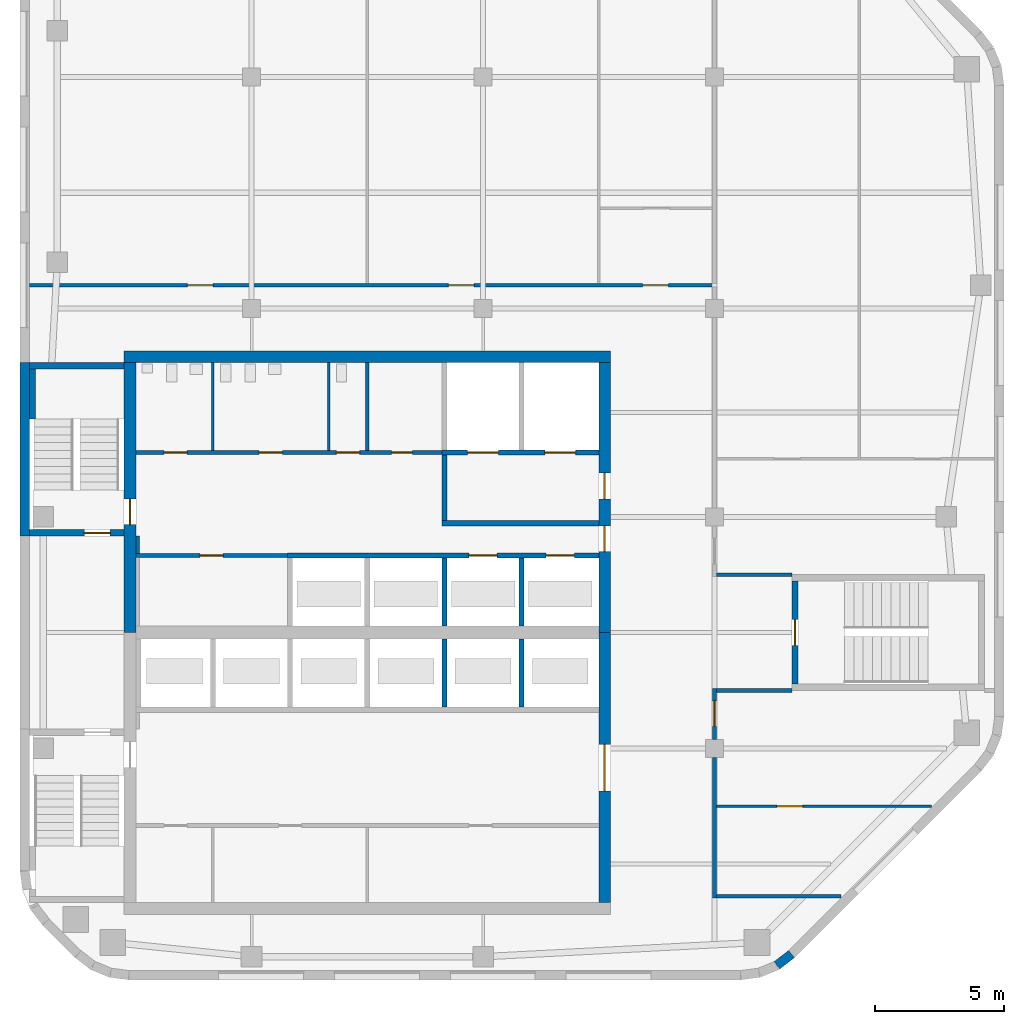
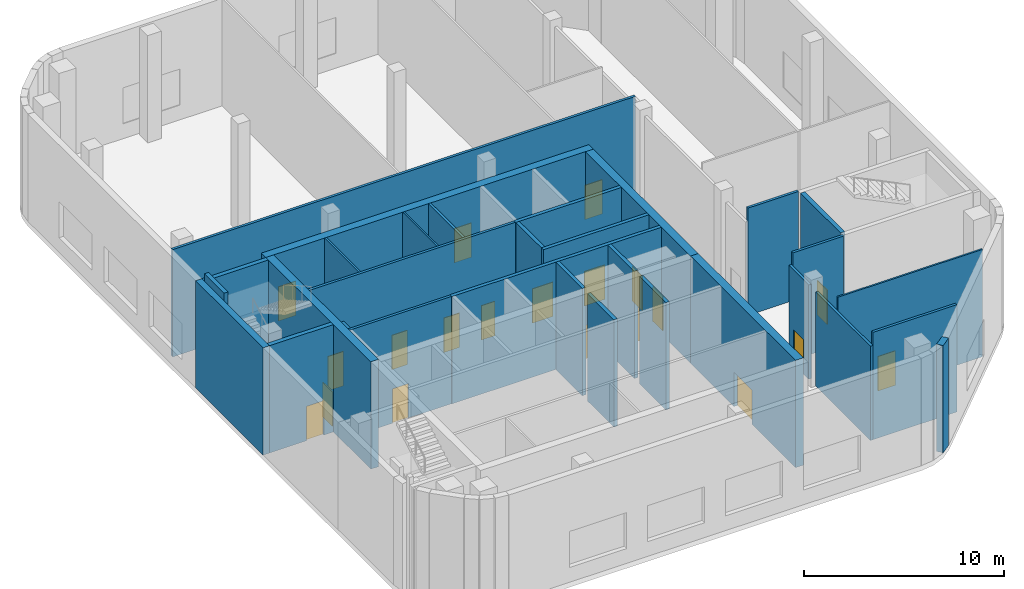
# One storey, part 3 of 8: 31 walls, 20 doors, 20 openings.
"""IFC4 building model written with IfcOpenShell, lengths in metres."""

from ifc_helpers import new_model, si_unit, direction, frame, frame_2d, origin, place, context, subcontext, project, spatial, rectangle, extrude, material, layer, layer_set, type_object, element, fill, save


model = new_model("IFC4")

# Units and contexts
model_context = context("Model", 3, precision=1e-05, world=origin(), true_north=direction((0.0, 1.0)))
body_context = subcontext(model_context, "Body", "Model", "MODEL_VIEW")
ifc_project = project(units=[si_unit("LENGTHUNIT", "METRE"), si_unit("AREAUNIT", "SQUARE_METRE"), si_unit("VOLUMEUNIT", "CUBIC_METRE"), si_unit("PLANEANGLEUNIT", "RADIAN"), si_unit("MASSUNIT", "GRAM", prefix="KILO")], contexts=[model_context])

# Site, building, storey
site_placement = place(None, origin())
site = spatial("IfcSite", under=ifc_project, at=site_placement, CompositionType="ELEMENT")
building_placement = place(site_placement, origin())
building = spatial("IfcBuilding", under=site, at=building_placement, Name="Cinnabar Reach Civic Tower", CompositionType="ELEMENT")
storey_placement = place(building_placement, frame((0.0, 0.0, 291.0)))
storey = spatial("IfcBuildingStorey", under=building, at=storey_placement, Name="L69", CompositionType="ELEMENT", Elevation=291.0)

# Walls
ifc_material_1 = material(Name="Facing brick with insulated backing", Category="masonry")
ifc_layer_1 = layer(ifc_material_1, 0.36)
ifc_layer_set_1 = layer_set([ifc_layer_1], Name="Brick corner wall")
wall_type_1 = type_object("IfcWallType", Name="Brick corner wall", PredefinedType="STANDARD", material=ifc_layer_set_1)
wall_1_placement = place(storey_placement, frame((29.4255, 18.566, 0.0), z_axis=(0.0, 0.0, 1.0), x_axis=(0.793321924995, 0.608802368033, 0.0)))
element("IfcWall", 1, at=wall_1_placement, inside=storey, type_object=wall_type_1, Name="Brick corner wall", PredefinedType="STANDARD", context=body_context, shape_type="SweptSolid", body=[
    extrude(rectangle(XDim=0.7132, YDim=0.36, at=frame_2d((0.3566, 0.0))), origin(), (0.0, 0.0, 1.0), 6.55),
])
ifc_layer_2 = layer(ifc_material_1, 0.36)
ifc_layer_set_2 = layer_set([ifc_layer_2], Name="Brick pier and spandrel wall")
wall_type_2 = type_object("IfcWallType", Name="Brick pier and spandrel wall", PredefinedType="STANDARD", material=ifc_layer_set_2)
wall_2_placement = place(storey_placement, frame((0.18, 42.0, 0.0), z_axis=(0.0, 0.0, 1.0), x_axis=(0.0, -1.0, 0.0)))
element("IfcWall", 2, at=wall_2_placement, inside=storey, type_object=wall_type_2, Name="Brick facade wall", PredefinedType="STANDARD", context=body_context, shape_type="SweptSolid", body=[
    extrude(rectangle(XDim=6.75, YDim=0.36, at=frame_2d((3.375, 0.0))), origin(), (0.0, 0.0, 1.0), 6.55),
])
ifc_material_2 = material(Name="Concrete C60", Category="concrete")
ifc_layer_3 = layer(ifc_material_2, 0.45)
ifc_layer_set_3 = layer_set([ifc_layer_3], Name="Core wall 450 EI 180")
wall_type_3 = type_object("IfcWallType", Name="Core wall 450 EI 180", PredefinedType="SOLIDWALL", material=ifc_layer_set_3)
wall_3_placement = place(storey_placement, frame((22.95, 42.225, 0.0), z_axis=(0.0, 0.0, 1.0), x_axis=(-1.0, 0.0, 0.0)))
element("IfcWall", 3, at=wall_3_placement, inside=storey, type_object=wall_type_3, Name="Core wall T1 L69 N", PredefinedType="SOLIDWALL", context=body_context, shape_type="SweptSolid", body=[
    extrude(rectangle(XDim=18.9, YDim=0.45, at=frame_2d((9.45, 0.0))), origin(), (0.0, 0.0, 1.0), 6.55),
])

# Wall, opening, door
wall_4_placement = place(storey_placement, frame((22.725, 21.0, 0.0), z_axis=(0.0, 0.0, 1.0), x_axis=(0.0, 1.0, 0.0)))
wall_4 = element("IfcWall", 4, at=wall_4_placement, inside=storey, type_object=wall_type_3, Name="Core wall T1 L69 E", PredefinedType="SOLIDWALL", context=body_context, shape_type="SweptSolid", body=[
    extrude(rectangle(XDim=10.5, YDim=0.45, at=frame_2d((5.25, 0.0))), origin(), (0.0, 0.0, 1.0), 6.55),
])
opening_1_placement = place(wall_4_placement, frame((4.35, 0.0, 0.0)))
opening_1 = element("IfcOpeningElement", 5, at=opening_1_placement, cuts=wall_4, Name="Opening D5739", PredefinedType="OPENING", context=body_context, shape_type="SweptSolid", body=[
    extrude(rectangle(XDim=1.8, YDim=2.1, at=frame_2d((0.9, 1.05))), frame((0.0, 0.235, 0.0), z_axis=(0.0, -1.0, 0.0), x_axis=(1.0, 0.0, 0.0)), (0.0, 0.0, 1.0), 0.47),
])
ifc_material_3 = material(Name="Timber door leaf in steel frame", Category="steel")
door_type_1 = type_object("IfcDoorType", Name="Double swing door 1800 x 2100 T1", OperationType="DOUBLE_DOOR_DOUBLE_SWING", PredefinedType="DOOR", material=ifc_material_3)
door_1_placement = place(opening_1_placement, origin())
door_1 = element("IfcDoor", 6, at=door_1_placement, inside=storey, type_object=door_type_1, Name="Door D5739", OperationType="DOUBLE_DOOR_DOUBLE_SWING", OverallHeight=2.1, OverallWidth=1.8, PredefinedType="DOOR", context=body_context, shape_type="SweptSolid", body=[
    extrude(rectangle(XDim=1.8, YDim=2.1, at=frame_2d((0.9, 1.05))), frame((0.0, 0.025, 0.0), z_axis=(0.0, -1.0, 0.0), x_axis=(1.0, 0.0, 0.0)), (0.0, 0.0, 1.0), 0.05),
])
fill(opening_1, door_1)

# Wall, openings, doors
wall_5_placement = place(storey_placement, frame((22.725, 31.5, 0.0), z_axis=(0.0, 0.0, 1.0), x_axis=(0.0, 1.0, 0.0)))
wall_5 = element("IfcWall", 7, at=wall_5_placement, inside=storey, type_object=wall_type_3, Name="Core wall T1 L69 E2", PredefinedType="SOLIDWALL", context=body_context, shape_type="SweptSolid", body=[
    extrude(rectangle(XDim=10.5, YDim=0.45, at=frame_2d((5.25, 0.0))), origin(), (0.0, 0.0, 1.0), 6.55),
])
opening_2_placement = place(wall_5_placement, frame((3.15, 0.0, 0.0)))
opening_2 = element("IfcOpeningElement", 8, at=opening_2_placement, cuts=wall_5, Name="Opening D5740", PredefinedType="OPENING", context=body_context, shape_type="SweptSolid", body=[
    extrude(rectangle(XDim=1.0, YDim=2.1, at=frame_2d((0.5, 1.05))), frame((0.0, 0.235, 0.0), z_axis=(0.0, -1.0, 0.0), x_axis=(1.0, 0.0, 0.0)), (0.0, 0.0, 1.0), 0.47),
])
opening_3_placement = place(wall_5_placement, frame((5.2, 0.0, 0.0)))
opening_3 = element("IfcOpeningElement", 9, at=opening_3_placement, cuts=wall_5, Name="Opening D5741", PredefinedType="OPENING", context=body_context, shape_type="SweptSolid", body=[
    extrude(rectangle(XDim=1.0, YDim=2.1, at=frame_2d((0.5, 1.05))), frame((0.0, 0.235, 0.0), z_axis=(0.0, -1.0, 0.0), x_axis=(1.0, 0.0, 0.0)), (0.0, 0.0, 1.0), 0.47),
])
door_type_2 = type_object("IfcDoorType", Name="Firefighting lobby door 1000 x 2100 T1", OperationType="SINGLE_SWING_LEFT", PredefinedType="DOOR", material=ifc_material_3)
door_2_placement = place(opening_3_placement, origin())
door_2 = element("IfcDoor", 10, at=door_2_placement, inside=storey, type_object=door_type_2, Name="Door D5741", OperationType="SINGLE_SWING_LEFT", OverallHeight=2.1, OverallWidth=1.0, PredefinedType="DOOR", context=body_context, shape_type="SweptSolid", body=[
    extrude(rectangle(XDim=1.0, YDim=2.1, at=frame_2d((0.5, 1.05))), frame((0.0, 0.025, 0.0), z_axis=(0.0, -1.0, 0.0), x_axis=(1.0, 0.0, 0.0)), (0.0, 0.0, 1.0), 0.05),
])
fill(opening_3, door_2)
door_type_3 = type_object("IfcDoorType", Name="Single swing door 1000 x 2100 T1", OperationType="SINGLE_SWING_LEFT", PredefinedType="DOOR", material=ifc_material_3)
door_3_placement = place(opening_2_placement, origin())
door_3 = element("IfcDoor", 11, at=door_3_placement, inside=storey, type_object=door_type_3, Name="Door D5740", OperationType="SINGLE_SWING_RIGHT", OverallHeight=2.1, OverallWidth=1.0, PredefinedType="DOOR", context=body_context, shape_type="SweptSolid", body=[
    extrude(rectangle(XDim=1.0, YDim=2.1, at=frame_2d((0.5, 1.05))), frame((0.0, 0.025, 0.0), z_axis=(0.0, -1.0, 0.0), x_axis=(1.0, 0.0, 0.0)), (0.0, 0.0, 1.0), 0.05),
])
fill(opening_2, door_3)

# Wall, opening, door
wall_6_placement = place(storey_placement, frame((4.275, 42.0, 0.0), z_axis=(0.0, 0.0, 1.0), x_axis=(0.0, -1.0, 0.0)))
wall_6 = element("IfcWall", 12, at=wall_6_placement, inside=storey, type_object=wall_type_3, Name="Core wall T1 L69 W", PredefinedType="SOLIDWALL", context=body_context, shape_type="SweptSolid", body=[
    extrude(rectangle(XDim=10.5, YDim=0.45, at=frame_2d((5.25, 0.0))), origin(), (0.0, 0.0, 1.0), 6.55),
])
opening_4_placement = place(wall_6_placement, frame((5.3, 0.0, 0.0)))
opening_4 = element("IfcOpeningElement", 13, at=opening_4_placement, cuts=wall_6, Name="Opening D5733", PredefinedType="OPENING", context=body_context, shape_type="SweptSolid", body=[
    extrude(rectangle(XDim=1.0, YDim=2.1, at=frame_2d((0.5, 1.05))), frame((0.0, 0.235, 0.0), z_axis=(0.0, -1.0, 0.0), x_axis=(1.0, 0.0, 0.0)), (0.0, 0.0, 1.0), 0.47),
])
door_type_4 = type_object("IfcDoorType", Name="Stair door 1000 x 2100 T1", OperationType="SINGLE_SWING_LEFT", PredefinedType="DOOR", material=ifc_material_3)
door_4_placement = place(opening_4_placement, frame((1.0, 0.0, 0.0), z_axis=(0.0, 0.0, 1.0), x_axis=(-1.0, 0.0, 0.0)))
door_4 = element("IfcDoor", 14, at=door_4_placement, inside=storey, type_object=door_type_4, Name="Door D5733", OperationType="SINGLE_SWING_LEFT", OverallHeight=2.1, OverallWidth=1.0, PredefinedType="DOOR", context=body_context, shape_type="SweptSolid", body=[
    extrude(rectangle(XDim=1.0, YDim=2.1, at=frame_2d((0.5, 1.05))), frame((0.0, 0.025, 0.0), z_axis=(0.0, -1.0, 0.0), x_axis=(1.0, 0.0, 0.0)), (0.0, 0.0, 1.0), 0.05),
])
fill(opening_4, door_4)

# Wall, openings, doors
ifc_material_4 = material(Name="Gypsum board on steel studs, double layer", Category="steel")
ifc_layer_4 = layer(ifc_material_4, 0.15)
ifc_layer_set_4 = layer_set([ifc_layer_4], Name="Corridor wall 150 T1")
wall_type_4 = type_object("IfcWallType", Name="Corridor wall 150 T1", PredefinedType="PARTITIONING", material=ifc_layer_set_4)
wall_7_placement = place(storey_placement, frame((0.36, 45.0, 0.0), z_axis=(0.0, 0.0, 1.0), x_axis=(1.0, 0.0, 0.0)))
wall_7 = element("IfcWall", 15, at=wall_7_placement, inside=storey, type_object=wall_type_4, Name="Corridor wall 18", PredefinedType="PARTITIONING", context=body_context, shape_type="SweptSolid", body=[
    extrude(rectangle(XDim=26.715, YDim=0.15, at=frame_2d((13.3575, 0.0))), origin(), (0.0, 0.0, 1.0), 6.55),
])
opening_5_placement = place(wall_7_placement, frame((6.15, 0.0, 0.0)))
opening_5 = element("IfcOpeningElement", 16, at=opening_5_placement, cuts=wall_7, Name="Opening D5756", PredefinedType="OPENING", context=body_context, shape_type="SweptSolid", body=[
    extrude(rectangle(XDim=1.0, YDim=2.1, at=frame_2d((0.5, 1.05))), frame((0.0, 0.085, 0.0), z_axis=(0.0, -1.0, 0.0), x_axis=(1.0, 0.0, 0.0)), (0.0, 0.0, 1.0), 0.17),
])
opening_6_placement = place(wall_7_placement, frame((16.29, 0.0, 0.0)))
opening_6 = element("IfcOpeningElement", 17, at=opening_6_placement, cuts=wall_7, Name="Opening D5757", PredefinedType="OPENING", context=body_context, shape_type="SweptSolid", body=[
    extrude(rectangle(XDim=1.0, YDim=2.1, at=frame_2d((0.5, 1.05))), frame((0.0, 0.085, 0.0), z_axis=(0.0, -1.0, 0.0), x_axis=(1.0, 0.0, 0.0)), (0.0, 0.0, 1.0), 0.17),
])
opening_7_placement = place(wall_7_placement, frame((23.84, 0.0, 0.0)))
opening_7 = element("IfcOpeningElement", 18, at=opening_7_placement, cuts=wall_7, Name="Opening D5758", PredefinedType="OPENING", context=body_context, shape_type="SweptSolid", body=[
    extrude(rectangle(XDim=1.0, YDim=2.1, at=frame_2d((0.5, 1.05))), frame((0.0, 0.085, 0.0), z_axis=(0.0, -1.0, 0.0), x_axis=(1.0, 0.0, 0.0)), (0.0, 0.0, 1.0), 0.17),
])
door_type_5 = type_object("IfcDoorType", Name="Plant room door 1000 x 2100 T1", OperationType="SINGLE_SWING_LEFT", PredefinedType="DOOR", material=ifc_material_3)
door_5_placement = place(opening_5_placement, origin())
door_5 = element("IfcDoor", 19, at=door_5_placement, inside=storey, type_object=door_type_5, Name="Door D5756", OperationType="SINGLE_SWING_RIGHT", OverallHeight=2.1, OverallWidth=1.0, PredefinedType="DOOR", context=body_context, shape_type="SweptSolid", body=[
    extrude(rectangle(XDim=1.0, YDim=2.1, at=frame_2d((0.5, 1.05))), frame((0.0, 0.025, 0.0), z_axis=(0.0, -1.0, 0.0), x_axis=(1.0, 0.0, 0.0)), (0.0, 0.0, 1.0), 0.05),
])
fill(opening_5, door_5)
door_6_placement = place(opening_6_placement, origin())
door_6 = element("IfcDoor", 20, at=door_6_placement, inside=storey, type_object=door_type_5, Name="Door D5757", OperationType="SINGLE_SWING_LEFT", OverallHeight=2.1, OverallWidth=1.0, PredefinedType="DOOR", context=body_context, shape_type="SweptSolid", body=[
    extrude(rectangle(XDim=1.0, YDim=2.1, at=frame_2d((0.5, 1.05))), frame((0.0, 0.025, 0.0), z_axis=(0.0, -1.0, 0.0), x_axis=(1.0, 0.0, 0.0)), (0.0, 0.0, 1.0), 0.05),
])
fill(opening_6, door_6)
door_7_placement = place(opening_7_placement, origin())
door_7 = element("IfcDoor", 21, at=door_7_placement, inside=storey, type_object=door_type_5, Name="Door D5758", OperationType="SINGLE_SWING_LEFT", OverallHeight=2.1, OverallWidth=1.0, PredefinedType="DOOR", context=body_context, shape_type="SweptSolid", body=[
    extrude(rectangle(XDim=1.0, YDim=2.1, at=frame_2d((0.5, 1.05))), frame((0.0, 0.025, 0.0), z_axis=(0.0, -1.0, 0.0), x_axis=(1.0, 0.0, 0.0)), (0.0, 0.0, 1.0), 0.05),
])
fill(opening_7, door_7)

wall_8_placement = place(storey_placement, frame((4.5, 38.5, 0.0), z_axis=(0.0, 0.0, 1.0), x_axis=(1.0, 0.0, 0.0)))
wall_8 = element("IfcWall", 22, at=wall_8_placement, inside=storey, type_object=wall_type_4, Name="Corridor wall 20", PredefinedType="PARTITIONING", context=body_context, shape_type="SweptSolid", body=[
    extrude(rectangle(XDim=11.9, YDim=0.15, at=frame_2d((5.95, 0.0))), origin(), (0.0, 0.0, 1.0), 6.55),
])
opening_8_placement = place(wall_8_placement, frame((1.1, 0.0, 0.0)))
opening_8 = element("IfcOpeningElement", 23, at=opening_8_placement, cuts=wall_8, Name="Opening D5747", PredefinedType="OPENING", context=body_context, shape_type="SweptSolid", body=[
    extrude(rectangle(XDim=0.9, YDim=2.1, at=frame_2d((0.45, 1.05))), frame((0.0, 0.085, 0.0), z_axis=(0.0, -1.0, 0.0), x_axis=(1.0, 0.0, 0.0)), (0.0, 0.0, 1.0), 0.17),
])
opening_9_placement = place(wall_8_placement, frame((4.8, 0.0, 0.0)))
opening_9 = element("IfcOpeningElement", 24, at=opening_9_placement, cuts=wall_8, Name="Opening D5748", PredefinedType="OPENING", context=body_context, shape_type="SweptSolid", body=[
    extrude(rectangle(XDim=0.9, YDim=2.1, at=frame_2d((0.45, 1.05))), frame((0.0, 0.085, 0.0), z_axis=(0.0, -1.0, 0.0), x_axis=(1.0, 0.0, 0.0)), (0.0, 0.0, 1.0), 0.17),
])
opening_10_placement = place(wall_8_placement, frame((7.8, 0.0, 0.0)))
opening_10 = element("IfcOpeningElement", 25, at=opening_10_placement, cuts=wall_8, Name="Opening D5749", PredefinedType="OPENING", context=body_context, shape_type="SweptSolid", body=[
    extrude(rectangle(XDim=0.9, YDim=2.1, at=frame_2d((0.45, 1.05))), frame((0.0, 0.085, 0.0), z_axis=(0.0, -1.0, 0.0), x_axis=(1.0, 0.0, 0.0)), (0.0, 0.0, 1.0), 0.17),
])
opening_11_placement = place(wall_8_placement, frame((9.95, 0.0, 0.0)))
opening_11 = element("IfcOpeningElement", 26, at=opening_11_placement, cuts=wall_8, Name="Opening D5750", PredefinedType="OPENING", context=body_context, shape_type="SweptSolid", body=[
    extrude(rectangle(XDim=0.8, YDim=2.1, at=frame_2d((0.4, 1.05))), frame((0.0, 0.085, 0.0), z_axis=(0.0, -1.0, 0.0), x_axis=(1.0, 0.0, 0.0)), (0.0, 0.0, 1.0), 0.17),
])
door_type_6 = type_object("IfcDoorType", Name="Riser access door 800 x 2100 T1", OperationType="SINGLE_SWING_LEFT", PredefinedType="DOOR", material=ifc_material_3)
door_8_placement = place(opening_11_placement, origin())
door_8 = element("IfcDoor", 27, at=door_8_placement, inside=storey, type_object=door_type_6, Name="Door D5750", OperationType="SINGLE_SWING_LEFT", OverallHeight=2.1, OverallWidth=0.8, PredefinedType="DOOR", context=body_context, shape_type="SweptSolid", body=[
    extrude(rectangle(XDim=0.8, YDim=2.1, at=frame_2d((0.4, 1.05))), frame((0.0, 0.025, 0.0), z_axis=(0.0, -1.0, 0.0), x_axis=(1.0, 0.0, 0.0)), (0.0, 0.0, 1.0), 0.05),
])
fill(opening_11, door_8)
door_type_7 = type_object("IfcDoorType", Name="Single swing door 900 x 2100 corridor T1", OperationType="SINGLE_SWING_LEFT", PredefinedType="DOOR", material=ifc_material_3)
door_9_placement = place(opening_8_placement, origin())
door_9 = element("IfcDoor", 28, at=door_9_placement, inside=storey, type_object=door_type_7, Name="Door D5747", OperationType="SINGLE_SWING_LEFT", OverallHeight=2.1, OverallWidth=0.9, PredefinedType="DOOR", context=body_context, shape_type="SweptSolid", body=[
    extrude(rectangle(XDim=0.9, YDim=2.1, at=frame_2d((0.45, 1.05))), frame((0.0, 0.025, 0.0), z_axis=(0.0, -1.0, 0.0), x_axis=(1.0, 0.0, 0.0)), (0.0, 0.0, 1.0), 0.05),
])
fill(opening_8, door_9)
door_10_placement = place(opening_9_placement, origin())
door_10 = element("IfcDoor", 29, at=door_10_placement, inside=storey, type_object=door_type_7, Name="Door D5748", OperationType="SINGLE_SWING_LEFT", OverallHeight=2.1, OverallWidth=0.9, PredefinedType="DOOR", context=body_context, shape_type="SweptSolid", body=[
    extrude(rectangle(XDim=0.9, YDim=2.1, at=frame_2d((0.45, 1.05))), frame((0.0, 0.025, 0.0), z_axis=(0.0, -1.0, 0.0), x_axis=(1.0, 0.0, 0.0)), (0.0, 0.0, 1.0), 0.05),
])
fill(opening_9, door_10)
door_11_placement = place(opening_10_placement, origin())
door_11 = element("IfcDoor", 30, at=door_11_placement, inside=storey, type_object=door_type_7, Name="Door D5749", OperationType="SINGLE_SWING_RIGHT", OverallHeight=2.1, OverallWidth=0.9, PredefinedType="DOOR", context=body_context, shape_type="SweptSolid", body=[
    extrude(rectangle(XDim=0.9, YDim=2.1, at=frame_2d((0.45, 1.05))), frame((0.0, 0.025, 0.0), z_axis=(0.0, -1.0, 0.0), x_axis=(1.0, 0.0, 0.0)), (0.0, 0.0, 1.0), 0.05),
])
fill(opening_10, door_11)

# Wall
wall_9_placement = place(storey_placement, frame((27.0, 21.175, 0.0), z_axis=(0.0, 0.0, 1.0), x_axis=(0.0, 1.0, 0.0)))
element("IfcWall", 31, at=wall_9_placement, inside=storey, type_object=wall_type_4, Name="Corridor wall 24", PredefinedType="PARTITIONING", context=body_context, shape_type="SweptSolid", body=[
    extrude(rectangle(XDim=5.475, YDim=0.15, at=frame_2d((2.7375, 0.0))), origin(), (0.0, 0.0, 1.0), 5.75),
])

# Wall, opening, door
wall_10_placement = place(storey_placement, frame((27.0, 27.35, 0.0), z_axis=(0.0, 0.0, 1.0), x_axis=(0.0, 1.0, 0.0)))
wall_10 = element("IfcWall", 32, at=wall_10_placement, inside=storey, type_object=wall_type_4, Name="Corridor wall 25", PredefinedType="PARTITIONING", context=body_context, shape_type="SweptSolid", body=[
    extrude(rectangle(XDim=1.975, YDim=0.15, at=frame_2d((0.9875, 0.0))), origin(), (0.0, 0.0, 1.0), 5.75),
])
opening_12_placement = place(wall_10_placement, frame((0.5, 0.0, 0.0)))
opening_12 = element("IfcOpeningElement", 33, at=opening_12_placement, cuts=wall_10, Name="Opening D5754", PredefinedType="OPENING", context=body_context, shape_type="SweptSolid", body=[
    extrude(rectangle(XDim=1.0, YDim=2.1, at=frame_2d((0.5, 1.05))), frame((0.0, 0.085, 0.0), z_axis=(0.0, -1.0, 0.0), x_axis=(1.0, 0.0, 0.0)), (0.0, 0.0, 1.0), 0.17),
])
door_12_placement = place(opening_12_placement, frame((1.0, 0.0, 0.0), z_axis=(0.0, 0.0, 1.0), x_axis=(-1.0, 0.0, 0.0)))
door_12 = element("IfcDoor", 34, at=door_12_placement, inside=storey, type_object=door_type_5, Name="Door D5754", OperationType="SINGLE_SWING_LEFT", OverallHeight=2.1, OverallWidth=1.0, PredefinedType="DOOR", context=body_context, shape_type="SweptSolid", body=[
    extrude(rectangle(XDim=1.0, YDim=2.1, at=frame_2d((0.5, 1.05))), frame((0.0, 0.025, 0.0), z_axis=(0.0, -1.0, 0.0), x_axis=(1.0, 0.0, 0.0)), (0.0, 0.0, 1.0), 0.05),
])
fill(opening_12, door_12)

wall_11_placement = place(storey_placement, frame((4.5, 34.5, 0.0), z_axis=(0.0, 0.0, 1.0), x_axis=(1.0, 0.0, 0.0)))
wall_11 = element("IfcWall", 35, at=wall_11_placement, inside=storey, type_object=wall_type_4, Name="Corridor wall 26", PredefinedType="PARTITIONING", context=body_context, shape_type="SweptSolid", body=[
    extrude(rectangle(XDim=5.9, YDim=0.15, at=frame_2d((2.95, 0.0))), origin(), (0.0, 0.0, 1.0), 6.55),
])
opening_13_placement = place(wall_11_placement, frame((2.5, 0.0, 0.0)))
opening_13 = element("IfcOpeningElement", 36, at=opening_13_placement, cuts=wall_11, Name="Opening D5746", PredefinedType="OPENING", context=body_context, shape_type="SweptSolid", body=[
    extrude(rectangle(XDim=0.9, YDim=2.1, at=frame_2d((0.45, 1.05))), frame((0.0, 0.085, 0.0), z_axis=(0.0, -1.0, 0.0), x_axis=(1.0, 0.0, 0.0)), (0.0, 0.0, 1.0), 0.17),
])
door_13_placement = place(opening_13_placement, frame((0.9, 0.0, 0.0), z_axis=(0.0, 0.0, 1.0), x_axis=(-1.0, 0.0, 0.0)))
door_13 = element("IfcDoor", 37, at=door_13_placement, inside=storey, type_object=door_type_7, Name="Door D5746", OperationType="SINGLE_SWING_LEFT", OverallHeight=2.1, OverallWidth=0.9, PredefinedType="DOOR", context=body_context, shape_type="SweptSolid", body=[
    extrude(rectangle(XDim=0.9, YDim=2.1, at=frame_2d((0.45, 1.05))), frame((0.0, 0.025, 0.0), z_axis=(0.0, -1.0, 0.0), x_axis=(1.0, 0.0, 0.0)), (0.0, 0.0, 1.0), 0.05),
])
fill(opening_13, door_13)

# Walls
wall_12_placement = place(storey_placement, frame((27.075, 21.25, 0.0), z_axis=(0.0, 0.0, 1.0), x_axis=(1.0, 0.0, 0.0)))
element("IfcWall", 38, at=wall_12_placement, inside=storey, type_object=wall_type_4, Name="Corridor wall 27", PredefinedType="PARTITIONING", context=body_context, shape_type="SweptSolid", body=[
    extrude(rectangle(XDim=4.841, YDim=0.15, at=frame_2d((2.4205, 0.0))), origin(), (0.0, 0.0, 1.0), 6.55),
])
wall_13_placement = place(storey_placement, frame((4.575, 34.575, 0.0), z_axis=(0.0, 0.0, 1.0), x_axis=(0.0, 1.0, 0.0)))
element("IfcWall", 39, at=wall_13_placement, inside=storey, type_object=wall_type_4, Name="Corridor wall 28", PredefinedType="PARTITIONING", context=body_context, shape_type="SweptSolid", body=[
    extrude(rectangle(XDim=0.675, YDim=0.15, at=frame_2d((0.3375, 0.0))), origin(), (0.0, 0.0, 1.0), 6.55),
])
for number, where, z_axis, x_axis, name in (
    (40, (27.075, 29.25, 0.0), (0.0, 0.0, 1.0), (1.0, 0.0, 0.0), "Corridor wall 30"),
    (41, (27.075, 33.75, 0.0), (0.0, 0.0, 1.0), (1.0, 0.0, 0.0), "Corridor wall 31"),
):
    element("IfcWall", number, at=place(storey_placement, frame(where, z_axis=z_axis, x_axis=x_axis)), inside=storey, type_object=wall_type_4, Name=name, PredefinedType="PARTITIONING", context=body_context, shape_type="SweptSolid", body=[
        extrude(rectangle(XDim=2.925, YDim=0.15, at=frame_2d((1.4625, 0.0))), origin(), (0.0, 0.0, 1.0), 6.55),
    ])

# Wall, openings, doors
ifc_material_5 = material(Name="Blockwork", Category="masonry")
ifc_layer_5 = layer(ifc_material_5, 0.2)
ifc_layer_set_5 = layer_set([ifc_layer_5], Name="Lift shaft wall 200 T1")
wall_type_5 = type_object("IfcWallType", Name="Lift shaft wall 200 T1", PredefinedType="PARTITIONING", material=ifc_layer_set_5)
wall_14_placement = place(storey_placement, frame((10.4, 34.5, 0.0), z_axis=(0.0, 0.0, 1.0), x_axis=(1.0, 0.0, 0.0)))
wall_14 = element("IfcWall", 42, at=wall_14_placement, inside=storey, type_object=wall_type_5, Name="Lift shaft wall 5", PredefinedType="PARTITIONING", context=body_context, shape_type="SweptSolid", body=[
    extrude(rectangle(XDim=12.1, YDim=0.2, at=frame_2d((6.05, 0.0))), origin(), (0.0, 0.0, 1.0), 6.55),
])
opening_14_placement = place(wall_14_placement, frame((7.05, 0.0, 0.0)))
opening_14 = element("IfcOpeningElement", 43, at=opening_14_placement, cuts=wall_14, Name="Opening D5735", PredefinedType="OPENING", context=body_context, shape_type="SweptSolid", body=[
    extrude(rectangle(XDim=1.1, YDim=2.1, at=frame_2d((0.55, 1.05))), frame((0.0, 0.11, 0.0), z_axis=(0.0, -1.0, 0.0), x_axis=(1.0, 0.0, 0.0)), (0.0, 0.0, 1.0), 0.22),
])
opening_15_placement = place(wall_14_placement, frame((10.05, 0.0, 0.0)))
opening_15 = element("IfcOpeningElement", 44, at=opening_15_placement, cuts=wall_14, Name="Opening D5736", PredefinedType="OPENING", context=body_context, shape_type="SweptSolid", body=[
    extrude(rectangle(XDim=1.1, YDim=2.1, at=frame_2d((0.55, 1.05))), frame((0.0, 0.11, 0.0), z_axis=(0.0, -1.0, 0.0), x_axis=(1.0, 0.0, 0.0)), (0.0, 0.0, 1.0), 0.22),
])
ifc_material_6 = material(Name="Stainless steel sliding door", Category="steel")
door_type_8 = type_object("IfcDoorType", Name="Lift landing door 1100 x 2100 T1", OperationType="SLIDING_TO_LEFT", PredefinedType="DOOR", material=ifc_material_6)
door_14_placement = place(opening_14_placement, origin())
door_14 = element("IfcDoor", 45, at=door_14_placement, inside=storey, type_object=door_type_8, Name="Lift landing door SV1 L69", OperationType="SLIDING_TO_LEFT", OverallHeight=2.1, OverallWidth=1.1, PredefinedType="DOOR", context=body_context, shape_type="SweptSolid", body=[
    extrude(rectangle(XDim=1.1, YDim=2.1, at=frame_2d((0.55, 1.05))), frame((0.0, 0.025, 0.0), z_axis=(0.0, -1.0, 0.0), x_axis=(1.0, 0.0, 0.0)), (0.0, 0.0, 1.0), 0.05),
])
fill(opening_14, door_14)
door_15_placement = place(opening_15_placement, origin())
door_15 = element("IfcDoor", 46, at=door_15_placement, inside=storey, type_object=door_type_8, Name="Lift landing door SV2 L69", OperationType="SLIDING_TO_LEFT", OverallHeight=2.1, OverallWidth=1.1, PredefinedType="DOOR", context=body_context, shape_type="SweptSolid", body=[
    extrude(rectangle(XDim=1.1, YDim=2.1, at=frame_2d((0.55, 1.05))), frame((0.0, 0.025, 0.0), z_axis=(0.0, -1.0, 0.0), x_axis=(1.0, 0.0, 0.0)), (0.0, 0.0, 1.0), 0.05),
])
fill(opening_15, door_15)

# Walls
for number, where, z_axis, x_axis, name in (
    (47, (16.5, 28.6, 0.0), (0.0, 0.0, 1.0), (0.0, 1.0, 0.0), "Lift shaft wall 10"),
    (48, (16.5, 31.75, 0.0), (0.0, 0.0, 1.0), (0.0, 1.0, 0.0), "Lift shaft wall 11"),
    (49, (19.5, 28.6, 0.0), (0.0, 0.0, 1.0), (0.0, 1.0, 0.0), "Lift shaft wall 12"),
    (50, (19.5, 31.75, 0.0), (0.0, 0.0, 1.0), (0.0, 1.0, 0.0), "Lift shaft wall 13"),
):
    element("IfcWall", number, at=place(storey_placement, frame(where, z_axis=z_axis, x_axis=x_axis)), inside=storey, type_object=wall_type_5, Name=name, PredefinedType="PARTITIONING", context=body_context, shape_type="SweptSolid", body=[
        extrude(rectangle(XDim=2.65, YDim=0.2, at=frame_2d((1.325, 0.0))), origin(), (0.0, 0.0, 1.0), 6.55),
    ])

# Wall, opening, door
ifc_material_7 = material(Name="Gypsum board on steel studs", Category="steel")
ifc_layer_6 = layer(ifc_material_7, 0.1)
ifc_layer_set_6 = layer_set([ifc_layer_6], Name="Partition wall 100 T1")
wall_type_6 = type_object("IfcWallType", Name="Partition wall 100 T1", PredefinedType="PARTITIONING", material=ifc_layer_set_6)
wall_15_placement = place(storey_placement, frame((27.075, 24.75, 0.0), z_axis=(0.0, 0.0, 1.0), x_axis=(1.0, 0.0, 0.0)))
wall_15 = element("IfcWall", 51, at=wall_15_placement, inside=storey, type_object=wall_type_6, Name="Partition wall 42", PredefinedType="PARTITIONING", context=body_context, shape_type="SweptSolid", body=[
    extrude(rectangle(XDim=8.3659, YDim=0.1, at=frame_2d((4.1829, 0.0))), origin(), (0.0, 0.0, 1.0), 6.55),
])
opening_16_placement = place(wall_15_placement, frame((2.35, 0.0, 0.0)))
opening_16 = element("IfcOpeningElement", 52, at=opening_16_placement, cuts=wall_15, Name="Opening D5755", PredefinedType="OPENING", context=body_context, shape_type="SweptSolid", body=[
    extrude(rectangle(XDim=1.0, YDim=2.1, at=frame_2d((0.5, 1.05))), frame((0.0, 0.06, 0.0), z_axis=(0.0, -1.0, 0.0), x_axis=(1.0, 0.0, 0.0)), (0.0, 0.0, 1.0), 0.12),
])
door_16_placement = place(opening_16_placement, origin())
door_16 = element("IfcDoor", 53, at=door_16_placement, inside=storey, type_object=door_type_5, Name="Door D5755", OperationType="SINGLE_SWING_LEFT", OverallHeight=2.1, OverallWidth=1.0, PredefinedType="DOOR", context=body_context, shape_type="SweptSolid", body=[
    extrude(rectangle(XDim=1.0, YDim=2.1, at=frame_2d((0.5, 1.05))), frame((0.0, 0.025, 0.0), z_axis=(0.0, -1.0, 0.0), x_axis=(1.0, 0.0, 0.0)), (0.0, 0.0, 1.0), 0.05),
])
fill(opening_16, door_16)

# Walls
for number, where, z_axis, x_axis, name in (
    (54, (7.5, 38.575, 0.0), (0.0, 0.0, 1.0), (0.0, 1.0, 0.0), "Partition wall 44"),
    (55, (12.0, 38.575, 0.0), (0.0, 0.0, 1.0), (0.0, 1.0, 0.0), "Partition wall 45"),
):
    element("IfcWall", number, at=place(storey_placement, frame(where, z_axis=z_axis, x_axis=x_axis)), inside=storey, type_object=wall_type_6, Name=name, PredefinedType="PARTITIONING", context=body_context, shape_type="SweptSolid", body=[
        extrude(rectangle(XDim=3.425, YDim=0.1, at=frame_2d((1.7125, 0.0))), origin(), (0.0, 0.0, 1.0), 6.55),
    ])
ifc_material_8 = material(Name="Concrete C40", Category="concrete")
ifc_layer_7 = layer(ifc_material_8, 0.2)
ifc_layer_set_7 = layer_set([ifc_layer_7], Name="Refuge compartment wall 200 T1")
wall_type_7 = type_object("IfcWallType", Name="Refuge compartment wall 200 T1", PredefinedType="PARTITIONING", material=ifc_layer_set_7)
wall_16_placement = place(storey_placement, frame((16.4, 35.75, 0.0), z_axis=(0.0, 0.0, 1.0), x_axis=(1.0, 0.0, 0.0)))
element("IfcWall", 56, at=wall_16_placement, inside=storey, type_object=wall_type_7, Name="Refuge compartment wall 1", PredefinedType="PARTITIONING", context=body_context, shape_type="SweptSolid", body=[
    extrude(rectangle(XDim=6.1, YDim=0.2, at=frame_2d((3.05, 0.0))), origin(), (0.0, 0.0, 1.0), 6.55),
])

# Wall, openings, doors
wall_17_placement = place(storey_placement, frame((16.4, 38.5, 0.0), z_axis=(0.0, 0.0, 1.0), x_axis=(1.0, 0.0, 0.0)))
wall_17 = element("IfcWall", 57, at=wall_17_placement, inside=storey, type_object=wall_type_7, Name="Refuge compartment wall 2", PredefinedType="PARTITIONING", context=body_context, shape_type="SweptSolid", body=[
    extrude(rectangle(XDim=6.1, YDim=0.2, at=frame_2d((3.05, 0.0))), origin(), (0.0, 0.0, 1.0), 6.55),
])
opening_17_placement = place(wall_17_placement, frame((1.0, 0.0, 0.0)))
opening_17 = element("IfcOpeningElement", 58, at=opening_17_placement, cuts=wall_17, Name="Opening D5737", PredefinedType="OPENING", context=body_context, shape_type="SweptSolid", body=[
    extrude(rectangle(XDim=1.2, YDim=2.1, at=frame_2d((0.6, 1.05))), frame((0.0, 0.11, 0.0), z_axis=(0.0, -1.0, 0.0), x_axis=(1.0, 0.0, 0.0)), (0.0, 0.0, 1.0), 0.22),
])
opening_18_placement = place(wall_17_placement, frame((4.0, 0.0, 0.0)))
opening_18 = element("IfcOpeningElement", 59, at=opening_18_placement, cuts=wall_17, Name="Opening D5738", PredefinedType="OPENING", context=body_context, shape_type="SweptSolid", body=[
    extrude(rectangle(XDim=1.2, YDim=2.1, at=frame_2d((0.6, 1.05))), frame((0.0, 0.11, 0.0), z_axis=(0.0, -1.0, 0.0), x_axis=(1.0, 0.0, 0.0)), (0.0, 0.0, 1.0), 0.22),
])
door_type_9 = type_object("IfcDoorType", Name="Firefighting lift landing door 1200 x 2100 T1", OperationType="SLIDING_TO_LEFT", PredefinedType="DOOR", material=ifc_material_6)
door_17_placement = place(opening_17_placement, origin())
door_17 = element("IfcDoor", 60, at=door_17_placement, inside=storey, type_object=door_type_9, Name="Lift landing door FF1 L69", OperationType="SLIDING_TO_LEFT", OverallHeight=2.1, OverallWidth=1.2, PredefinedType="DOOR", context=body_context, shape_type="SweptSolid", body=[
    extrude(rectangle(XDim=1.2, YDim=2.1, at=frame_2d((0.6, 1.05))), frame((0.0, 0.025, 0.0), z_axis=(0.0, -1.0, 0.0), x_axis=(1.0, 0.0, 0.0)), (0.0, 0.0, 1.0), 0.05),
])
fill(opening_17, door_17)
door_18_placement = place(opening_18_placement, origin())
door_18 = element("IfcDoor", 61, at=door_18_placement, inside=storey, type_object=door_type_9, Name="Lift landing door FF2 L69", OperationType="SLIDING_TO_LEFT", OverallHeight=2.1, OverallWidth=1.2, PredefinedType="DOOR", context=body_context, shape_type="SweptSolid", body=[
    extrude(rectangle(XDim=1.2, YDim=2.1, at=frame_2d((0.6, 1.05))), frame((0.0, 0.025, 0.0), z_axis=(0.0, -1.0, 0.0), x_axis=(1.0, 0.0, 0.0)), (0.0, 0.0, 1.0), 0.05),
])
fill(opening_18, door_18)

# Walls
wall_18_placement = place(storey_placement, frame((16.5, 35.85, 0.0), z_axis=(0.0, 0.0, 1.0), x_axis=(0.0, 1.0, 0.0)))
element("IfcWall", 62, at=wall_18_placement, inside=storey, type_object=wall_type_7, Name="Refuge compartment wall 3", PredefinedType="PARTITIONING", context=body_context, shape_type="SweptSolid", body=[
    extrude(rectangle(XDim=2.55, YDim=0.2, at=frame_2d((1.275, 0.0))), origin(), (0.0, 0.0, 1.0), 6.55),
])
ifc_layer_8 = layer(ifc_material_5, 0.15)
ifc_layer_set_8 = layer_set([ifc_layer_8], Name="Riser wall 150 T1")
wall_type_8 = type_object("IfcWallType", Name="Riser wall 150 T1", PredefinedType="PARTITIONING", material=ifc_layer_set_8)
wall_19_placement = place(storey_placement, frame((13.5, 38.575, 0.0), z_axis=(0.0, 0.0, 1.0), x_axis=(0.0, 1.0, 0.0)))
element("IfcWall", 63, at=wall_19_placement, inside=storey, type_object=wall_type_8, Name="Riser wall 33", PredefinedType="PARTITIONING", context=body_context, shape_type="SweptSolid", body=[
    extrude(rectangle(XDim=3.425, YDim=0.15, at=frame_2d((1.7125, 0.0))), origin(), (0.0, 0.0, 1.0), 6.55),
])

# Wall, opening, door
ifc_layer_9 = layer(ifc_material_2, 0.25)
ifc_layer_set_9 = layer_set([ifc_layer_9], Name="Stair shaft wall 250 EI 120")
wall_type_9 = type_object("IfcWallType", Name="Stair shaft wall 250 EI 120", PredefinedType="SOLIDWALL", material=ifc_layer_set_9)
wall_20_placement = place(storey_placement, frame((0.36, 35.375, 0.0), z_axis=(0.0, 0.0, 1.0), x_axis=(1.0, 0.0, 0.0)))
wall_20 = element("IfcWall", 64, at=wall_20_placement, inside=storey, type_object=wall_type_9, Name="Stair shaft wall T1-S2 L69", PredefinedType="SOLIDWALL", context=body_context, shape_type="SweptSolid", body=[
    extrude(rectangle(XDim=3.69, YDim=0.25, at=frame_2d((1.845, 0.0))), origin(), (0.0, 0.0, 1.0), 6.55),
])
opening_19_placement = place(wall_20_placement, frame((2.14, 0.0, 0.0)))
opening_19 = element("IfcOpeningElement", 65, at=opening_19_placement, cuts=wall_20, Name="Opening D5734", PredefinedType="OPENING", context=body_context, shape_type="SweptSolid", body=[
    extrude(rectangle(XDim=1.0, YDim=2.1, at=frame_2d((0.5, 1.05))), frame((0.0, 0.135, 0.0), z_axis=(0.0, -1.0, 0.0), x_axis=(1.0, 0.0, 0.0)), (0.0, 0.0, 1.0), 0.27),
])
door_19_placement = place(opening_19_placement, origin())
door_19 = element("IfcDoor", 66, at=door_19_placement, inside=storey, type_object=door_type_4, Name="Door D5734", OperationType="SINGLE_SWING_LEFT", OverallHeight=2.1, OverallWidth=1.0, PredefinedType="DOOR", context=body_context, shape_type="SweptSolid", body=[
    extrude(rectangle(XDim=1.0, YDim=2.1, at=frame_2d((0.5, 1.05))), frame((0.0, 0.025, 0.0), z_axis=(0.0, -1.0, 0.0), x_axis=(1.0, 0.0, 0.0)), (0.0, 0.0, 1.0), 0.05),
])
fill(opening_19, door_19)

# Wall
wall_21_placement = place(storey_placement, frame((4.05, 41.875, 0.0), z_axis=(0.0, 0.0, 1.0), x_axis=(-1.0, 0.0, 0.0)))
element("IfcWall", 67, at=wall_21_placement, inside=storey, type_object=wall_type_9, Name="Stair shaft wall T1-S2 L69", PredefinedType="SOLIDWALL", context=body_context, shape_type="SweptSolid", body=[
    extrude(rectangle(XDim=3.69, YDim=0.25, at=frame_2d((1.845, 0.0))), origin(), (0.0, 0.0, 1.0), 6.55),
])

# Wall, opening, door
wall_22_placement = place(storey_placement, frame((30.125, 33.5, 0.0), z_axis=(0.0, 0.0, 1.0), x_axis=(0.0, -1.0, 0.0)))
wall_22 = element("IfcWall", 68, at=wall_22_placement, inside=storey, type_object=wall_type_9, Name="Stair shaft wall T1-S3 L69", PredefinedType="SOLIDWALL", context=body_context, shape_type="SweptSolid", body=[
    extrude(rectangle(XDim=4.0, YDim=0.25, at=frame_2d((2.0, 0.0))), origin(), (0.0, 0.0, 1.0), 6.55),
])
opening_20_placement = place(wall_22_placement, frame((1.5, 0.0, 0.0)))
opening_20 = element("IfcOpeningElement", 69, at=opening_20_placement, cuts=wall_22, Name="Opening D5742", PredefinedType="OPENING", context=body_context, shape_type="SweptSolid", body=[
    extrude(rectangle(XDim=1.0, YDim=2.1, at=frame_2d((0.5, 1.05))), frame((0.0, 0.135, 0.0), z_axis=(0.0, -1.0, 0.0), x_axis=(1.0, 0.0, 0.0)), (0.0, 0.0, 1.0), 0.27),
])
door_20_placement = place(opening_20_placement, origin())
door_20 = element("IfcDoor", 70, at=door_20_placement, inside=storey, type_object=door_type_4, Name="Door D5742", OperationType="SINGLE_SWING_RIGHT", OverallHeight=2.1, OverallWidth=1.0, PredefinedType="DOOR", context=body_context, shape_type="SweptSolid", body=[
    extrude(rectangle(XDim=1.0, YDim=2.1, at=frame_2d((0.5, 1.05))), frame((0.0, 0.025, 0.0), z_axis=(0.0, -1.0, 0.0), x_axis=(1.0, 0.0, 0.0)), (0.0, 0.0, 1.0), 0.05),
])
fill(opening_20, door_20)

# Wall
ifc_material_9 = material(Name="Concrete C40/50", Category="concrete")
ifc_layer_10 = layer(ifc_material_9, 0.24)
ifc_layer_set_10 = layer_set([ifc_layer_10], Name="T1 landing bearer wall 240")
wall_type_10 = type_object("IfcWallType", Name="T1 landing bearer wall 240", PredefinedType="STANDARD", material=ifc_layer_set_10)
wall_23_placement = place(storey_placement, frame((0.48, 39.795, 0.0), z_axis=(0.0, 0.0, 1.0), x_axis=(0.0, 1.0, 0.0)))
element("IfcWall", 71, at=wall_23_placement, inside=storey, type_object=wall_type_10, Name="T1-S2 landing bearer wall", PredefinedType="STANDARD", context=body_context, shape_type="SweptSolid", body=[
    extrude(rectangle(XDim=1.955, YDim=0.24, at=frame_2d((0.9775, 0.0))), origin(), (0.0, 0.0, 1.0), 7.0),
])

save(model, "model.ifc")
